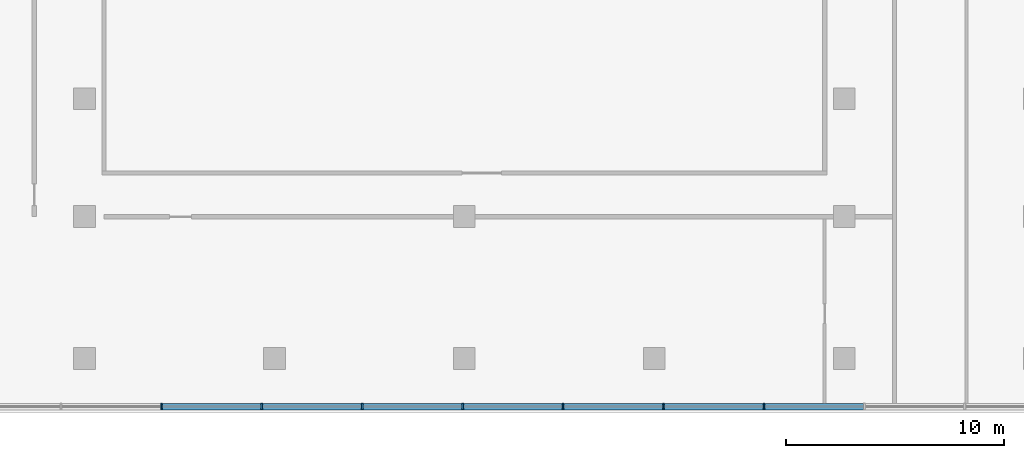
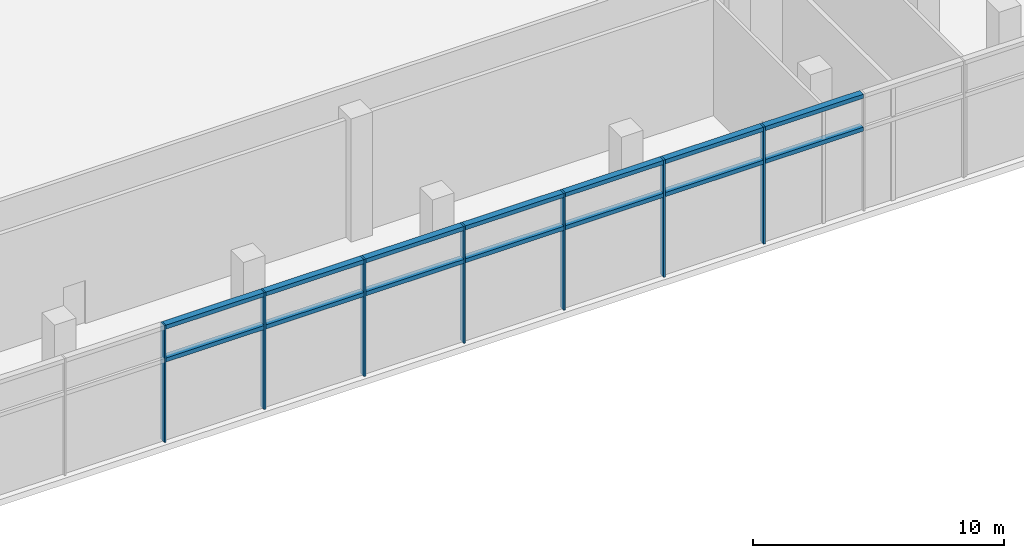
# One storey, part 4 of 21: 21 members, 1 element without a shape of its own.
"""IFC4 building model written with IfcOpenShell, lengths in metres."""

from ifc_helpers import new_model, si_unit, direction, frame, origin, origin_2d, place, context, subcontext, project, spatial, rectangle, extrude, material, material_profile, profile_set, type_object, element, aggregate, save


model = new_model("IFC4")

# Units and contexts
model_context = context("Model", 3, precision=1e-05, world=origin(), true_north=direction((0.0, 1.0)))
body_context = subcontext(model_context, "Body", "Model", "MODEL_VIEW")
ifc_project = project(units=[si_unit("LENGTHUNIT", "METRE"), si_unit("AREAUNIT", "SQUARE_METRE"), si_unit("VOLUMEUNIT", "CUBIC_METRE"), si_unit("PLANEANGLEUNIT", "RADIAN"), si_unit("MASSUNIT", "GRAM", prefix="KILO")], contexts=[model_context])

# Site, building, storey
site_placement = place(None, origin())
site = spatial("IfcSite", under=ifc_project, at=site_placement, CompositionType="ELEMENT")
building_placement = place(site_placement, origin())
building = spatial("IfcBuilding", under=site, at=building_placement, Name="Bicima Exchange Tower", CompositionType="ELEMENT")
storey_placement = place(building_placement, frame((0.0, 0.0, 8.0)))
storey = spatial("IfcBuildingStorey", under=building, at=storey_placement, Name="L01", CompositionType="ELEMENT", Elevation=8.0)

# Curtain wall, members
ifc_material = material(Name="Stainless steel", Category="steel")
curtain_wall_type = type_object("IfcCurtainWallType", Name="Hall structural glazing", PredefinedType="NOTDEFINED", material=ifc_material)
curtain_wall_placement = place(storey_placement, origin())
curtain_wall = element("IfcCurtainWall", 1, at=curtain_wall_placement, inside=storey, type_object=curtain_wall_type, Name="Podium glazing L01 south 1", PredefinedType="NOTDEFINED")
ifc_material_profile_1 = material_profile(ifc_material, rectangle(XDim=0.300048828125, YDim=0.080078125, at=origin_2d()))
ifc_profile_set_1 = profile_set([ifc_material_profile_1], Name="Stainless steel")
member_type_1 = type_object("IfcMemberType", Name="Hall structural glazing mullion 80 x 300", PredefinedType="MULLION", material=ifc_profile_set_1)
member_1_placement = place(storey_placement, frame((-13.87060546875, -53.699951171875, 0.0), z_axis=(0.0, 0.0, 1.0), x_axis=(0.0, 1.0, 0.0)))
member_1 = element("IfcMember", 2, at=member_1_placement, type_object=member_type_1, Name="Hall structural glazing mullion 8", PredefinedType="MULLION", context=body_context, shape_type="SweptSolid", body=[
    extrude(rectangle(XDim=0.300048828125, YDim=0.080078125, at=origin_2d()), origin(), (0.0, 0.0, 1.0), 5.699951171875),
])
member_2_placement = place(storey_placement, frame((-9.27197265625, -53.699951171875, 0.0), z_axis=(0.0, 0.0, 1.0), x_axis=(0.0, 1.0, 0.0)))
member_2 = element("IfcMember", 3, at=member_2_placement, type_object=member_type_1, Name="Hall structural glazing mullion 9", PredefinedType="MULLION", context=body_context, shape_type="SweptSolid", body=[
    extrude(rectangle(XDim=0.300048828125, YDim=0.080078125, at=origin_2d()), origin(), (0.0, 0.0, 1.0), 5.699951171875),
])
member_3_placement = place(storey_placement, frame((-4.673583984375, -53.699951171875, 0.0), z_axis=(0.0, 0.0, 1.0), x_axis=(0.0, 1.0, 0.0)))
member_3 = element("IfcMember", 4, at=member_3_placement, type_object=member_type_1, Name="Hall structural glazing mullion 10", PredefinedType="MULLION", context=body_context, shape_type="SweptSolid", body=[
    extrude(rectangle(XDim=0.300048828125, YDim=0.080078125, at=origin_2d()), origin(), (0.0, 0.0, 1.0), 5.699951171875),
])
member_4_placement = place(storey_placement, frame((-0.074951171875, -53.699951171875, 0.0), z_axis=(0.0, 0.0, 1.0), x_axis=(0.0, 1.0, 0.0)))
member_4 = element("IfcMember", 5, at=member_4_placement, type_object=member_type_1, Name="Hall structural glazing mullion 11", PredefinedType="MULLION", context=body_context, shape_type="SweptSolid", body=[
    extrude(rectangle(XDim=0.300048828125, YDim=0.080078125, at=origin_2d()), origin(), (0.0, 0.0, 1.0), 5.699951171875),
])
member_5_placement = place(storey_placement, frame((4.5234375, -53.699951171875, 0.0), z_axis=(0.0, 0.0, 1.0), x_axis=(0.0, 1.0, 0.0)))
member_5 = element("IfcMember", 6, at=member_5_placement, type_object=member_type_1, Name="Hall structural glazing mullion 12", PredefinedType="MULLION", context=body_context, shape_type="SweptSolid", body=[
    extrude(rectangle(XDim=0.300048828125, YDim=0.080078125, at=origin_2d()), origin(), (0.0, 0.0, 1.0), 5.699951171875),
])
member_6_placement = place(storey_placement, frame((9.1220703125, -53.699951171875, 0.0), z_axis=(0.0, 0.0, 1.0), x_axis=(0.0, 1.0, 0.0)))
member_6 = element("IfcMember", 7, at=member_6_placement, type_object=member_type_1, Name="Hall structural glazing mullion 13", PredefinedType="MULLION", context=body_context, shape_type="SweptSolid", body=[
    extrude(rectangle(XDim=0.300048828125, YDim=0.080078125, at=origin_2d()), origin(), (0.0, 0.0, 1.0), 5.699951171875),
])
member_7_placement = place(storey_placement, frame((13.720458984375, -53.699951171875, 0.0), z_axis=(0.0, 0.0, 1.0), x_axis=(0.0, 1.0, 0.0)))
member_7 = element("IfcMember", 8, at=member_7_placement, type_object=member_type_1, Name="Hall structural glazing mullion 14", PredefinedType="MULLION", context=body_context, shape_type="SweptSolid", body=[
    extrude(rectangle(XDim=0.300048828125, YDim=0.080078125, at=origin_2d()), origin(), (0.0, 0.0, 1.0), 5.699951171875),
])
ifc_material_profile_2 = material_profile(ifc_material, rectangle(XDim=0.300048828125, YDim=0.199951171875, at=origin_2d()))
ifc_profile_set_2 = profile_set([ifc_material_profile_2], Name="Stainless steel")
member_type_2 = type_object("IfcMemberType", Name="Hall structural glazing transom 200 x 300", PredefinedType="USERDEFINED", material=ifc_profile_set_2)
member_8_placement = place(storey_placement, frame((-13.83056640625, -53.699951171875, 4.0), z_axis=(1.0, 0.0, 0.0), x_axis=(0.0, 1.0, 0.0)))
member_8 = element("IfcMember", 9, at=member_8_placement, type_object=member_type_2, Name="Hall structural glazing transom 8.1", ObjectType="TRANSOM", PredefinedType="USERDEFINED", context=body_context, shape_type="SweptSolid", body=[
    extrude(rectangle(XDim=0.300048828125, YDim=0.199951171875, at=origin_2d()), origin(), (0.0, 0.0, 1.0), 4.5185546875),
])
member_9_placement = place(storey_placement, frame((-13.83056640625, -53.699951171875, 5.60009765625), z_axis=(1.0, 0.0, 0.0), x_axis=(0.0, 1.0, 0.0)))
member_9 = element("IfcMember", 10, at=member_9_placement, type_object=member_type_2, Name="Hall structural glazing transom 8.2", ObjectType="TRANSOM", PredefinedType="USERDEFINED", context=body_context, shape_type="SweptSolid", body=[
    extrude(rectangle(XDim=0.300048828125, YDim=0.199951171875, at=origin_2d()), origin(), (0.0, 0.0, 1.0), 4.5185546875),
])
member_10_placement = place(storey_placement, frame((-9.23193359375, -53.699951171875, 4.0), z_axis=(1.0, 0.0, 0.0), x_axis=(0.0, 1.0, 0.0)))
member_10 = element("IfcMember", 11, at=member_10_placement, type_object=member_type_2, Name="Hall structural glazing transom 9.1", ObjectType="TRANSOM", PredefinedType="USERDEFINED", context=body_context, shape_type="SweptSolid", body=[
    extrude(rectangle(XDim=0.300048828125, YDim=0.199951171875, at=origin_2d()), origin(), (0.0, 0.0, 1.0), 4.5185546875),
])
member_11_placement = place(storey_placement, frame((-9.23193359375, -53.699951171875, 5.60009765625), z_axis=(1.0, 0.0, 0.0), x_axis=(0.0, 1.0, 0.0)))
member_11 = element("IfcMember", 12, at=member_11_placement, type_object=member_type_2, Name="Hall structural glazing transom 9.2", ObjectType="TRANSOM", PredefinedType="USERDEFINED", context=body_context, shape_type="SweptSolid", body=[
    extrude(rectangle(XDim=0.300048828125, YDim=0.199951171875, at=origin_2d()), origin(), (0.0, 0.0, 1.0), 4.5185546875),
])
member_12_placement = place(storey_placement, frame((-4.633544921875, -53.699951171875, 4.0), z_axis=(1.0, 0.0, 0.0), x_axis=(0.0, 1.0, 0.0)))
member_12 = element("IfcMember", 13, at=member_12_placement, type_object=member_type_2, Name="Hall structural glazing transom 10.1", ObjectType="TRANSOM", PredefinedType="USERDEFINED", context=body_context, shape_type="SweptSolid", body=[
    extrude(rectangle(XDim=0.300048828125, YDim=0.199951171875, at=origin_2d()), origin(), (0.0, 0.0, 1.0), 4.5185546875),
])
member_13_placement = place(storey_placement, frame((-4.633544921875, -53.699951171875, 5.60009765625), z_axis=(1.0, 0.0, 0.0), x_axis=(0.0, 1.0, 0.0)))
member_13 = element("IfcMember", 14, at=member_13_placement, type_object=member_type_2, Name="Hall structural glazing transom 10.2", ObjectType="TRANSOM", PredefinedType="USERDEFINED", context=body_context, shape_type="SweptSolid", body=[
    extrude(rectangle(XDim=0.300048828125, YDim=0.199951171875, at=origin_2d()), origin(), (0.0, 0.0, 1.0), 4.5185546875),
])
member_14_placement = place(storey_placement, frame((-0.034912109375, -53.699951171875, 4.0), z_axis=(1.0, 0.0, 0.0), x_axis=(0.0, 1.0, 0.0)))
member_14 = element("IfcMember", 15, at=member_14_placement, type_object=member_type_2, Name="Hall structural glazing transom 11.1", ObjectType="TRANSOM", PredefinedType="USERDEFINED", context=body_context, shape_type="SweptSolid", body=[
    extrude(rectangle(XDim=0.300048828125, YDim=0.199951171875, at=origin_2d()), origin(), (0.0, 0.0, 1.0), 4.518310546875),
])
member_15_placement = place(storey_placement, frame((-0.034912109375, -53.699951171875, 5.60009765625), z_axis=(1.0, 0.0, 0.0), x_axis=(0.0, 1.0, 0.0)))
member_15 = element("IfcMember", 16, at=member_15_placement, type_object=member_type_2, Name="Hall structural glazing transom 11.2", ObjectType="TRANSOM", PredefinedType="USERDEFINED", context=body_context, shape_type="SweptSolid", body=[
    extrude(rectangle(XDim=0.300048828125, YDim=0.199951171875, at=origin_2d()), origin(), (0.0, 0.0, 1.0), 4.518310546875),
])
member_16_placement = place(storey_placement, frame((4.5634765625, -53.699951171875, 4.0), z_axis=(1.0, 0.0, 0.0), x_axis=(0.0, 1.0, 0.0)))
member_16 = element("IfcMember", 17, at=member_16_placement, type_object=member_type_2, Name="Hall structural glazing transom 12.1", ObjectType="TRANSOM", PredefinedType="USERDEFINED", context=body_context, shape_type="SweptSolid", body=[
    extrude(rectangle(XDim=0.300048828125, YDim=0.199951171875, at=origin_2d()), origin(), (0.0, 0.0, 1.0), 4.5185546875),
])
member_17_placement = place(storey_placement, frame((4.5634765625, -53.699951171875, 5.60009765625), z_axis=(1.0, 0.0, 0.0), x_axis=(0.0, 1.0, 0.0)))
member_17 = element("IfcMember", 18, at=member_17_placement, type_object=member_type_2, Name="Hall structural glazing transom 12.2", ObjectType="TRANSOM", PredefinedType="USERDEFINED", context=body_context, shape_type="SweptSolid", body=[
    extrude(rectangle(XDim=0.300048828125, YDim=0.199951171875, at=origin_2d()), origin(), (0.0, 0.0, 1.0), 4.5185546875),
])
member_18_placement = place(storey_placement, frame((9.162109375, -53.699951171875, 4.0), z_axis=(1.0, 0.0, 0.0), x_axis=(0.0, 1.0, 0.0)))
member_18 = element("IfcMember", 19, at=member_18_placement, type_object=member_type_2, Name="Hall structural glazing transom 13.1", ObjectType="TRANSOM", PredefinedType="USERDEFINED", context=body_context, shape_type="SweptSolid", body=[
    extrude(rectangle(XDim=0.300048828125, YDim=0.199951171875, at=origin_2d()), origin(), (0.0, 0.0, 1.0), 4.518310546875),
])
member_19_placement = place(storey_placement, frame((9.162109375, -53.699951171875, 5.60009765625), z_axis=(1.0, 0.0, 0.0), x_axis=(0.0, 1.0, 0.0)))
member_19 = element("IfcMember", 20, at=member_19_placement, type_object=member_type_2, Name="Hall structural glazing transom 13.2", ObjectType="TRANSOM", PredefinedType="USERDEFINED", context=body_context, shape_type="SweptSolid", body=[
    extrude(rectangle(XDim=0.300048828125, YDim=0.199951171875, at=origin_2d()), origin(), (0.0, 0.0, 1.0), 4.518310546875),
])
member_20_placement = place(storey_placement, frame((13.760498046875, -53.699951171875, 4.0), z_axis=(1.0, 0.0, 0.0), x_axis=(0.0, 1.0, 0.0)))
member_20 = element("IfcMember", 21, at=member_20_placement, type_object=member_type_2, Name="Hall structural glazing transom 14.1", ObjectType="TRANSOM", PredefinedType="USERDEFINED", context=body_context, shape_type="SweptSolid", body=[
    extrude(rectangle(XDim=0.300048828125, YDim=0.199951171875, at=origin_2d()), origin(), (0.0, 0.0, 1.0), 4.5185546875),
])
member_21_placement = place(storey_placement, frame((13.760498046875, -53.699951171875, 5.60009765625), z_axis=(1.0, 0.0, 0.0), x_axis=(0.0, 1.0, 0.0)))
member_21 = element("IfcMember", 22, at=member_21_placement, type_object=member_type_2, Name="Hall structural glazing transom 14.2", ObjectType="TRANSOM", PredefinedType="USERDEFINED", context=body_context, shape_type="SweptSolid", body=[
    extrude(rectangle(XDim=0.300048828125, YDim=0.199951171875, at=origin_2d()), origin(), (0.0, 0.0, 1.0), 4.5185546875),
])
aggregate(curtain_wall, [member_1, member_2, member_3, member_4, member_5, member_6, member_7, member_8, member_9, member_10, member_11, member_12, member_13, member_14, member_15, member_16, member_17, member_18, member_19, member_20, member_21])

save(model, "model.ifc")
